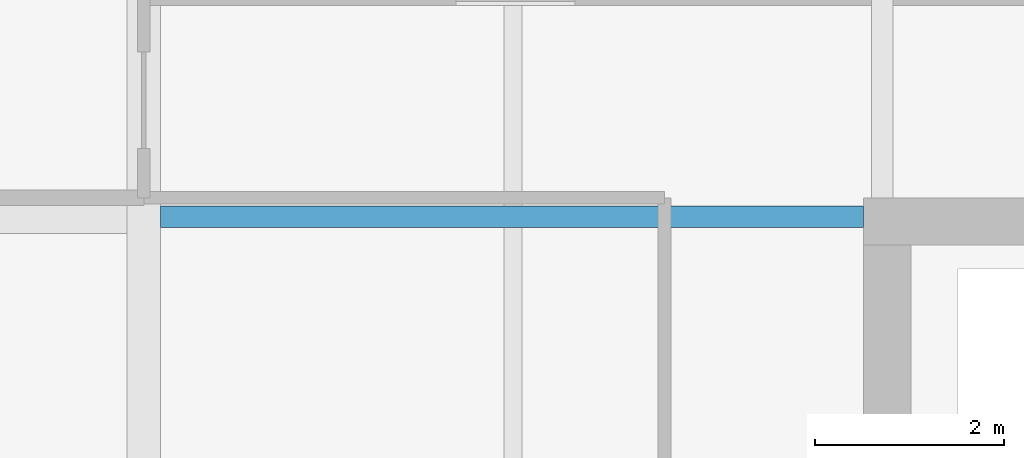
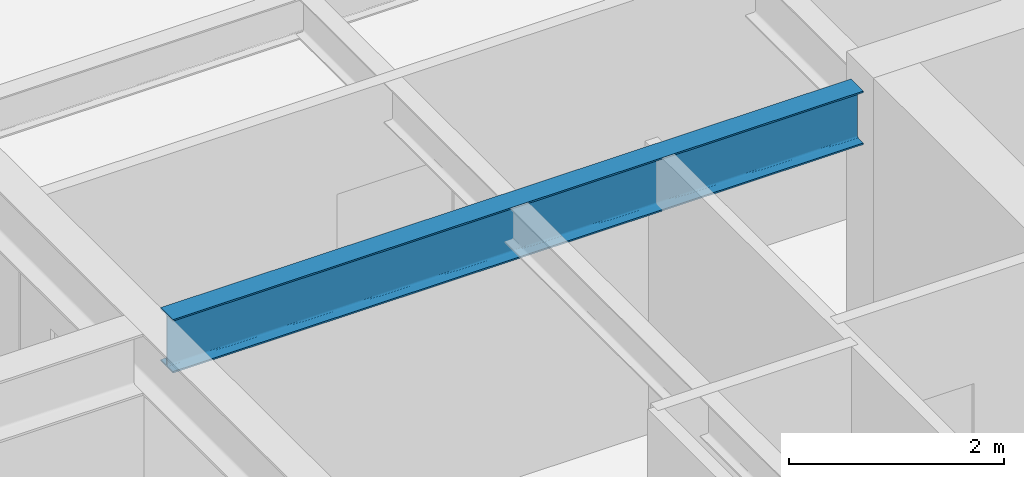
# One storey, part 18 of 33: 1 beam.
"""IFC4 building model written with IfcOpenShell, lengths in metres."""

from ifc_helpers import new_model, si_unit, direction, frame, origin, origin_2d, place, context, subcontext, project, spatial, i_section, extrude, material, material_profile, profile_set, type_object, element, save


model = new_model("IFC4")

# Units and contexts
model_context = context("Model", 3, precision=1e-05, world=origin(), true_north=direction((0.0, 1.0)))
body_context = subcontext(model_context, "Body", "Model", "MODEL_VIEW")
ifc_project = project(units=[si_unit("LENGTHUNIT", "METRE"), si_unit("AREAUNIT", "SQUARE_METRE"), si_unit("VOLUMEUNIT", "CUBIC_METRE"), si_unit("PLANEANGLEUNIT", "RADIAN"), si_unit("MASSUNIT", "GRAM", prefix="KILO")], contexts=[model_context])

# Site, building, storey
site_placement = place(None, origin())
site = spatial("IfcSite", under=ifc_project, at=site_placement, CompositionType="ELEMENT")
building_placement = place(site_placement, origin())
building = spatial("IfcBuilding", under=site, at=building_placement, Name="Drelvath Grand Hotel", CompositionType="ELEMENT")
storey_placement = place(building_placement, frame((0.0, 0.0, 171.699951171875)))
storey = spatial("IfcBuildingStorey", under=building, at=storey_placement, Name="L44", CompositionType="ELEMENT", Elevation=171.699951171875)

# Beam
ifc_material = material(Name="Steel ASTM A992 Gr 50", Category="steel")
ifc_material_profile = material_profile(ifc_material, i_section(OverallWidth=0.228271484375, OverallDepth=0.607666015625, WebThickness=0.01123046875, FlangeThickness=0.017333984375, FilletRadius=0.02001953125, at=origin_2d()), Name="W24X76")
ifc_profile_set = profile_set([ifc_material_profile], Name="Steel ASTM A992 Gr 50")
beam_type = type_object("IfcBeamType", Name="Primary Floor Girder W24X76", PredefinedType="BEAM", material=ifc_profile_set)
beam_placement = place(storey_placement, frame((-16.022705078125, 35.39990234375, 2.986328125), z_axis=(1.0, 0.0, 0.0), x_axis=(0.0, 1.0, 0.0)))
element("IfcBeam", 1, at=beam_placement, inside=storey, type_object=beam_type, Name="L44 West Core Tie F", PredefinedType="BEAM", context=body_context, shape_type="SweptSolid", body=[
    extrude(i_section(OverallWidth=0.228271484375, OverallDepth=0.607666015625, WebThickness=0.01123046875, FlangeThickness=0.017333984375, FilletRadius=0.02001953125, at=origin_2d()), origin(), (0.0, 0.0, 1.0), 7.422607421875),
])

save(model, "model.ifc")
